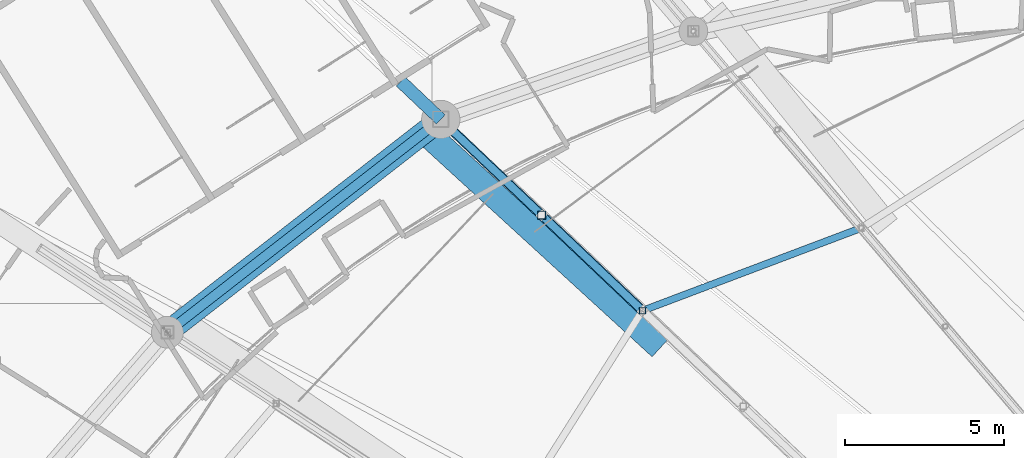
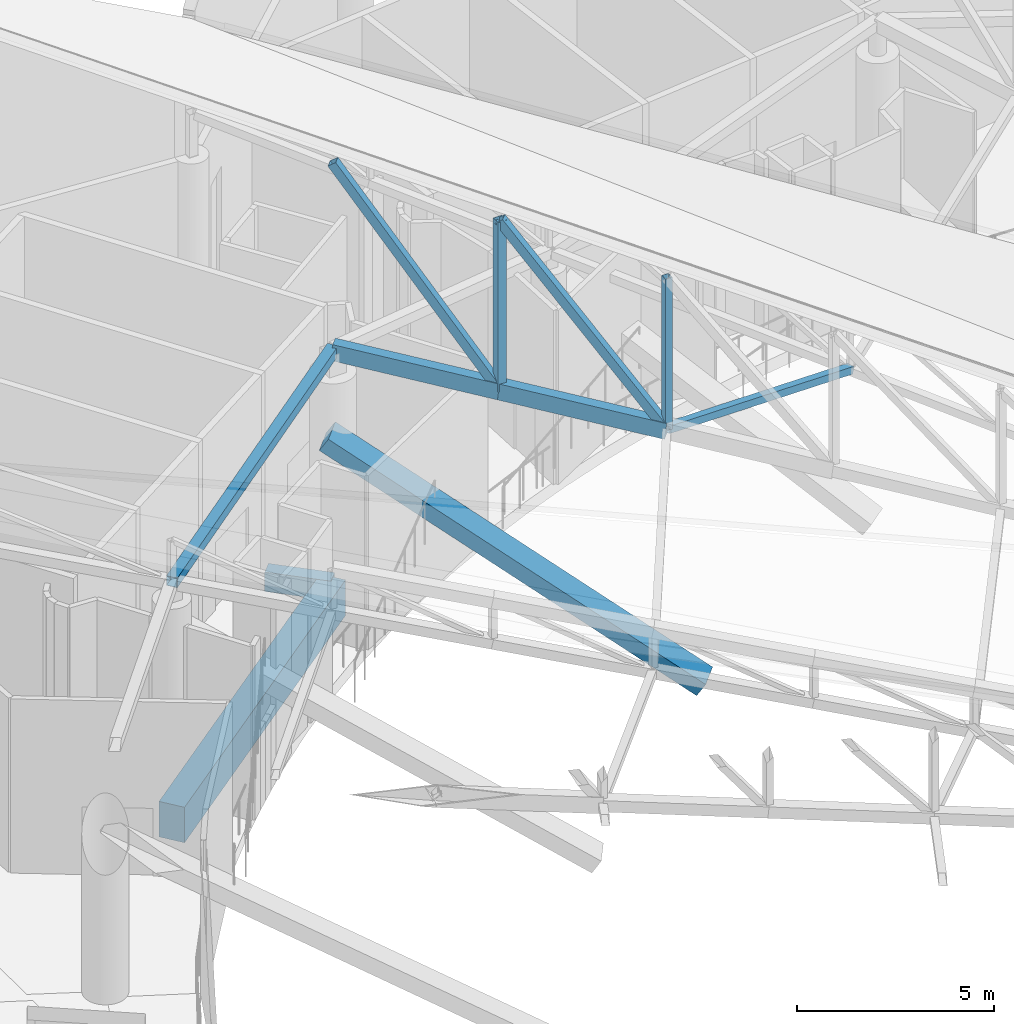
# One storey, part 137 of 344: 8 members, 3 beams.
"""IFC4 building model written with IfcOpenShell, lengths in metres."""

from ifc_helpers import new_model, si_unit, direction, frame, origin, origin_2d, place, context, subcontext, project, spatial, rectangle, hollow_rectangle, extrude, material, material_profile, profile_set, type_object, element, save


model = new_model("IFC4")

# Units and contexts
model_context = context("Model", 3, precision=1e-05, world=origin(), true_north=direction((0.0, 1.0)))
body_context = subcontext(model_context, "Body", "Model", "MODEL_VIEW")
ifc_project = project(units=[si_unit("LENGTHUNIT", "METRE"), si_unit("AREAUNIT", "SQUARE_METRE"), si_unit("VOLUMEUNIT", "CUBIC_METRE"), si_unit("PLANEANGLEUNIT", "RADIAN"), si_unit("MASSUNIT", "GRAM", prefix="KILO")], contexts=[model_context])

# Site, building, storey
site_placement = place(None, origin())
site = spatial("IfcSite", under=ifc_project, at=site_placement, CompositionType="ELEMENT")
building_placement = place(site_placement, origin())
building = spatial("IfcBuilding", under=site, at=building_placement, Name="Meseta Stadium", CompositionType="ELEMENT")
storey_placement = place(building_placement, frame((0.0, 0.0, 24.0)))
storey = spatial("IfcBuildingStorey", under=building, at=storey_placement, Name="L04", CompositionType="ELEMENT", Elevation=24.0)

# Beams
ifc_material_1 = material(Name="Concrete C40/50", Category="concrete")
ifc_material_profile_1 = material_profile(ifc_material_1, rectangle(XDim=0.39990234375, YDim=0.60009765625, at=origin_2d()), Name="RC 400x600")
ifc_profile_set_1 = profile_set([ifc_material_profile_1], Name="Concrete C40/50")
beam_type_1 = type_object("IfcBeamType", Name="RC beam 400x600", PredefinedType="BEAM", material=ifc_profile_set_1)
beam_1_placement = place(storey_placement, frame((-63.731201171875, 85.77099609375, -0.699951171875), z_axis=(-0.725600801439, 0.688115889187, 0.0), x_axis=(-0.688115889187, -0.725600801439, 0.0)))
element("IfcBeam", 1, at=beam_1_placement, inside=storey, type_object=beam_type_1, Name="L04 radial beam frame 24 line P to R", PredefinedType="BEAM", context=body_context, shape_type="SweptSolid", body=[
    extrude(rectangle(XDim=0.39990234375, YDim=0.60009765625, at=origin_2d()), origin(), (0.0, 0.0, 1.0), 1.732421875),
])
ifc_material_2 = material(Name="Concrete C40/50", Category="concrete")
ifc_material_profile_2 = material_profile(ifc_material_2, rectangle(XDim=0.699951171875, YDim=1.10009765625, at=origin_2d()), Name="RC 700x1100")
ifc_profile_set_2 = profile_set([ifc_material_profile_2], Name="Concrete C40/50")
beam_type_2 = type_object("IfcBeamType", Name="RC beam 700x1100", PredefinedType="BEAM", material=ifc_profile_set_2)
beam_2_placement = place(storey_placement, frame((-63.731201171875, 85.77099609375, -0.949951171875), z_axis=(-0.789086185012, -0.614282502293, 0.0), x_axis=(0.614282502293, -0.789086185012, 0.0)))
element("IfcBeam", 2, at=beam_2_placement, inside=storey, type_object=beam_type_2, Name="L04 ring beam frame 24 line P", PredefinedType="BEAM", context=body_context, shape_type="SweptSolid", body=[
    extrude(rectangle(XDim=0.699951171875, YDim=1.10009765625, at=origin_2d()), origin(), (0.0, 0.0, 1.0), 10.874267578125),
])
ifc_material_3 = material(Name="Concrete C40/50", Category="concrete")
ifc_material_profile_3 = material_profile(ifc_material_3, rectangle(XDim=0.800048828125, YDim=0.449951171875, at=origin_2d()), Name="RC 800x450")
ifc_profile_set_3 = profile_set([ifc_material_profile_3], Name="Concrete C40/50")
beam_type_3 = type_object("IfcBeamType", Name="RC raker upper rear 800x450", PredefinedType="USERDEFINED", material=ifc_profile_set_3)
beam_3_placement = place(storey_placement, frame((-56.9150390625, 78.69580078125, -1.73486328125), z_axis=(-0.62597534425, 0.573017454419, 0.528966790378), x_axis=(-0.675216522578, -0.737619581924, 0.0)))
element("IfcBeam", 3, at=beam_3_placement, inside=storey, type_object=beam_type_3, Name="Raker upper rear frame 24 upper tier", ObjectType="RAKER", PredefinedType="USERDEFINED", context=body_context, shape_type="SweptSolid", body=[
    extrude(rectangle(XDim=0.800048828125, YDim=0.449951171875, at=origin_2d()), origin(), (0.0, 0.0, 1.0), 11.566650390625),
])

# Members
ifc_material_4 = material(Name="Steel S355", Category="steel")
ifc_material_profile_4 = material_profile(ifc_material_4, hollow_rectangle(XDim=0.300048828125, YDim=0.5, WallThickness=0.01611328125, at=origin_2d()), Name="RHS 500x300x16")
ifc_profile_set_4 = profile_set([ifc_material_profile_4], Name="Steel S355")
member_type_1 = type_object("IfcMemberType", Name="RHS 500x300x16 bottom chord", PredefinedType="CHORD", material=ifc_profile_set_4)
for number, where, z_axis, x_axis, name in (
    (4, (-57.39990234375, 79.766357421875, 5.632568359375), (-0.720650173055, 0.683414450379, 0.116653405818), (-0.688112410324, -0.725604100566, 0.0), "ROOF TRUSS RT-24 bottom chord"),
    (5, (-60.565673828125, 82.7685546875, 6.14501953125), (-0.720596086328, 0.683471438352, 0.116653646861), (-0.688169809663, -0.725549662717, 0.0), "ROOF TRUSS RT-24 bottom chord"),
):
    element("IfcMember", number, at=place(storey_placement, frame(where, z_axis=z_axis, x_axis=x_axis)), inside=storey, type_object=member_type_1, Name=name, PredefinedType="CHORD", context=body_context, shape_type="SweptSolid", body=[
        extrude(hollow_rectangle(XDim=0.300048828125, YDim=0.5, WallThickness=0.01611328125, at=origin_2d()), origin(), (0.0, 0.0, 1.0), 4.392822265625),
    ])
ifc_material_5 = material(Name="Steel S355", Category="steel")
ifc_material_profile_5 = material_profile(ifc_material_5, hollow_rectangle(XDim=0.199951171875, YDim=0.199951171875, WallThickness=0.008056640625, at=origin_2d()), Name="SHS 200x200x8")
ifc_profile_set_5 = profile_set([ifc_material_profile_5], Name="Steel S355")
member_type_2 = type_object("IfcMemberType", Name="SHS 200x200x8 post", PredefinedType="POST", material=ifc_profile_set_5)
member_1_placement = place(storey_placement, frame((-57.39990234375, 79.766357421875, 5.632568359375), z_axis=(0.0, 0.0, 1.0), x_axis=(1.0, 0.0, 0.0)))
element("IfcMember", 6, at=member_1_placement, inside=storey, type_object=member_type_2, Name="ROOF TRUSS RT-24 post", PredefinedType="POST", context=body_context, shape_type="SweptSolid", body=[
    extrude(hollow_rectangle(XDim=0.199951171875, YDim=0.199951171875, WallThickness=0.008056640625, at=origin_2d()), origin(), (0.0, 0.0, 1.0), 4.713134765625),
])
ifc_material_6 = material(Name="Steel S355", Category="steel")
ifc_material_profile_6 = material_profile(ifc_material_6, hollow_rectangle(XDim=0.219970703125, YDim=0.219970703125, WallThickness=0.008056640625, at=origin_2d()), Name="SHS 220x220x8")
ifc_profile_set_6 = profile_set([ifc_material_profile_6], Name="Steel S355")
member_type_3 = type_object("IfcMemberType", Name="SHS 220x220x8 strut", PredefinedType="STRUT", material=ifc_profile_set_6)
member_2_placement = place(storey_placement, frame((-50.5302734375, 82.363037109375, 3.5009765625), z_axis=(-0.898330544792, -0.339563710086, 0.278744899658), x_axis=(0.353577698148, -0.93540515894, 0.0)))
element("IfcMember", 7, at=member_2_placement, inside=storey, type_object=member_type_3, Name="ROOF TRUSS STRUT RT-23/24", PredefinedType="STRUT", context=body_context, shape_type="SweptSolid", body=[
    extrude(hollow_rectangle(XDim=0.219970703125, YDim=0.219970703125, WallThickness=0.008056640625, at=origin_2d()), origin(), (0.0, 0.0, 1.0), 7.647216796875),
])
ifc_material_7 = material(Name="Steel S355", Category="steel")
ifc_material_profile_7 = material_profile(ifc_material_7, hollow_rectangle(XDim=0.25, YDim=0.25, WallThickness=0.010009765625, at=origin_2d()), Name="SHS 250x250x10")
ifc_profile_set_7 = profile_set([ifc_material_profile_7], Name="Steel S355")
member_type_4 = type_object("IfcMemberType", Name="SHS 250x250x10 diagonal", PredefinedType="BRACE", material=ifc_profile_set_7)
member_3_placement = place(storey_placement, frame((-57.39990234375, 79.766357421875, 5.632568359375), z_axis=(-0.437268681933, 0.414675174037, 0.7980229319), x_axis=(-0.688112410324, -0.725604100566, 0.0)))
element("IfcMember", 8, at=member_3_placement, inside=storey, type_object=member_type_4, Name="ROOF TRUSS RT-24 diagonal", PredefinedType="BRACE", context=body_context, shape_type="SweptSolid", body=[
    extrude(hollow_rectangle(XDim=0.25, YDim=0.25, WallThickness=0.010009765625, at=origin_2d()), origin(), (0.0, 0.0, 1.0), 7.239990234375),
])
member_4_placement = place(storey_placement, frame((-60.565673828125, 82.7685546875, 6.14501953125), z_axis=(-0.411771493331, 0.39055729022, 0.823352439928), x_axis=(-0.688169809663, -0.725549662717, 0.0)))
element("IfcMember", 9, at=member_4_placement, inside=storey, type_object=member_type_4, Name="ROOF TRUSS RT-24 diagonal", PredefinedType="BRACE", context=body_context, shape_type="SweptSolid", body=[
    extrude(hollow_rectangle(XDim=0.25, YDim=0.25, WallThickness=0.010009765625, at=origin_2d()), origin(), (0.0, 0.0, 1.0), 7.6875),
])
ifc_material_8 = material(Name="Steel S355", Category="steel")
ifc_material_profile_8 = material_profile(ifc_material_8, hollow_rectangle(XDim=0.25, YDim=0.25, WallThickness=0.010009765625, at=origin_2d()), Name="SHS 250x250x10")
ifc_profile_set_8 = profile_set([ifc_material_profile_8], Name="Steel S355")
member_type_5 = type_object("IfcMemberType", Name="SHS 250x250x10 post", PredefinedType="POST", material=ifc_profile_set_8)
member_5_placement = place(storey_placement, frame((-60.565673828125, 82.7685546875, 6.14501953125), z_axis=(0.0, 0.0, 1.0), x_axis=(1.0, 0.0, 0.0)))
element("IfcMember", 10, at=member_5_placement, inside=storey, type_object=member_type_5, Name="ROOF TRUSS RT-24 post", PredefinedType="POST", context=body_context, shape_type="SweptSolid", body=[
    extrude(hollow_rectangle(XDim=0.25, YDim=0.25, WallThickness=0.010009765625, at=origin_2d()), origin(), (0.0, 0.0, 1.0), 5.26513671875),
])
ifc_material_9 = material(Name="Steel S355", Category="steel")
ifc_material_profile_9 = material_profile(ifc_material_9, hollow_rectangle(XDim=0.300048828125, YDim=0.300048828125, WallThickness=0.010009765625, at=origin_2d()), Name="SHS 300x300x10")
ifc_profile_set_9 = profile_set([ifc_material_profile_9], Name="Steel S355")
member_type_6 = type_object("IfcMemberType", Name="SHS 300x300x10 pivot strut", PredefinedType="STRUT", material=ifc_profile_set_9)
member_6_placement = place(storey_placement, frame((-63.731201171875, 85.77099609375, 6.657470703125), z_axis=(-0.789004740934, -0.614219100256, -0.014367173136), x_axis=(0.614282502293, -0.789086185012, 0.0)))
element("IfcMember", 11, at=member_6_placement, inside=storey, type_object=member_type_6, Name="ROOF PIVOT STRUT RT-24/25", PredefinedType="STRUT", context=body_context, shape_type="SweptSolid", body=[
    extrude(hollow_rectangle(XDim=0.300048828125, YDim=0.300048828125, WallThickness=0.010009765625, at=origin_2d()), origin(), (0.0, 0.0, 1.0), 10.87548828125),
])

save(model, "model.ifc")
